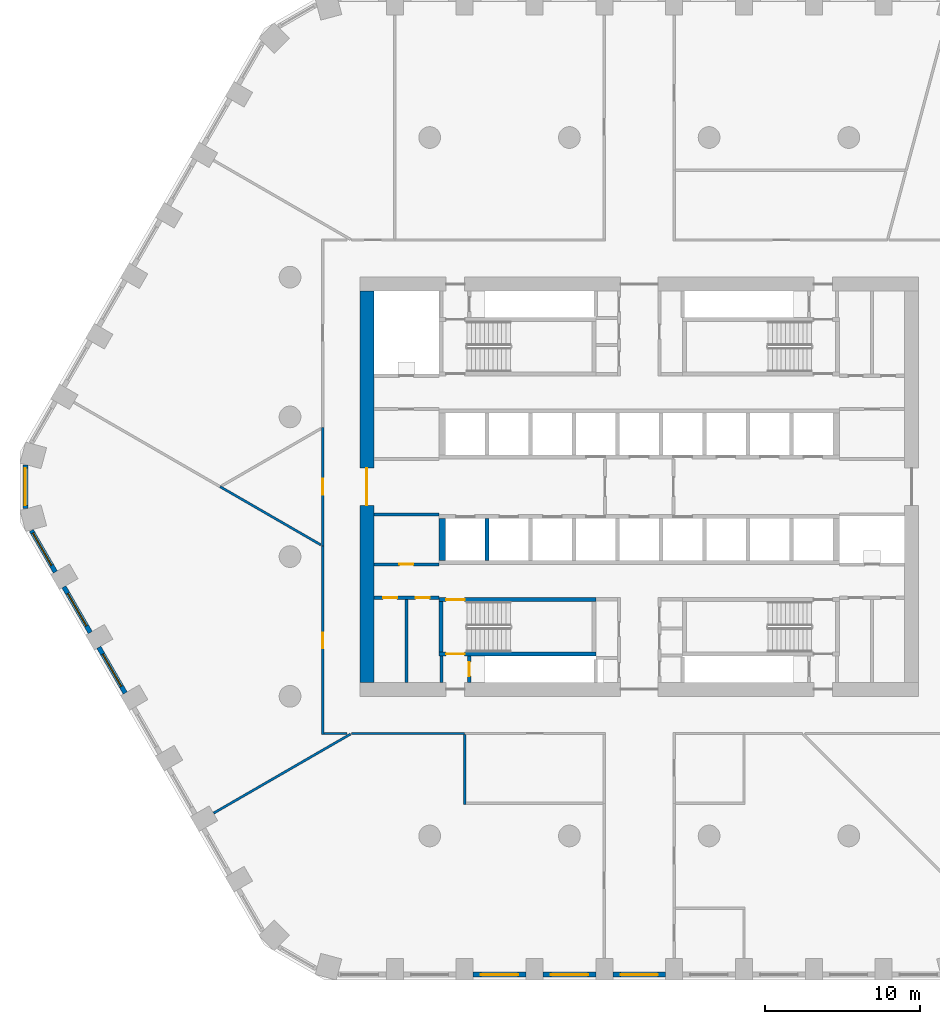
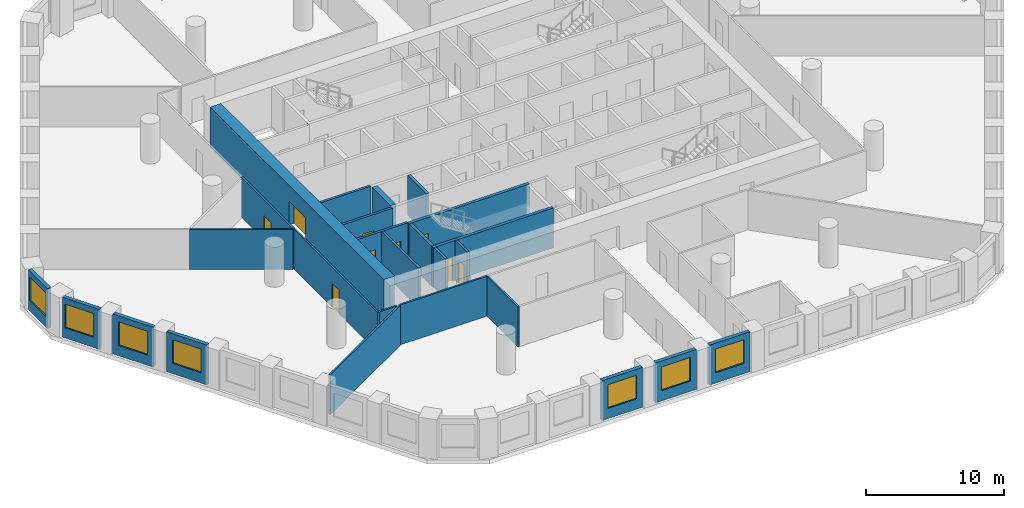
# One storey, part 2 of 10: 26 walls, 9 doors, 7 windows, 16 openings.
"""IFC4 building model written with IfcOpenShell, lengths in metres."""

from ifc_helpers import new_model, si_unit, direction, frame, frame_2d, origin, place, context, subcontext, project, spatial, polyline, rectangle, outline, extrude, material, layer, layer_set, type_object, element, fill, save


model = new_model("IFC4")

# Units and contexts
model_context = context("Model", 3, precision=1e-05, world=origin(), true_north=direction((0.0, 1.0)))
body_context = subcontext(model_context, "Body", "Model", "MODEL_VIEW")
ifc_project = project(units=[si_unit("LENGTHUNIT", "METRE"), si_unit("AREAUNIT", "SQUARE_METRE"), si_unit("VOLUMEUNIT", "CUBIC_METRE"), si_unit("PLANEANGLEUNIT", "RADIAN"), si_unit("MASSUNIT", "GRAM", prefix="KILO")], contexts=[model_context])

# Site, building, storey
site_placement = place(None, origin())
site = spatial("IfcSite", under=ifc_project, at=site_placement, CompositionType="ELEMENT")
building_placement = place(site_placement, origin())
building = spatial("IfcBuilding", under=site, at=building_placement, Name="Dhurran Vertical Campus", CompositionType="ELEMENT")
storey_placement = place(building_placement, frame((0.0, 0.0, 49.5)))
storey = spatial("IfcBuildingStorey", under=building, at=storey_placement, Name="L11", CompositionType="ELEMENT", Elevation=49.5)

# Wall, opening, window
ifc_material_1 = material(Name="Precast concrete C50/60", Category="concrete")
ifc_layer_1 = layer(ifc_material_1, 0.300048828125)
ifc_layer_set_1 = layer_set([ifc_layer_1], Name="Precast concrete C50/60")
wall_type_1 = type_object("IfcWallType", Name="Precast spandrel wall 300", PredefinedType="SOLIDWALL", material=ifc_layer_set_1)
wall_1_placement = place(storey_placement, frame((-10.699462890625, -31.4296875, 0.0), z_axis=(0.0, 0.0, 1.0), x_axis=(1.0, 0.0, 0.0)))
wall_1 = element("IfcWall", 1, at=wall_1_placement, inside=storey, type_object=wall_type_1, Name="EW1 L11.02", PredefinedType="SOLIDWALL", context=body_context, shape_type="SweptSolid", body=[
    extrude(rectangle(XDim=3.39892578125, YDim=0.300048828125, at=frame_2d((1.699462890625, 0.0))), origin(), (0.0, 0.0, 1.0), 3.52490234375),
])
opening_1_placement = place(wall_1_placement, frame((0.49951171875, 0.0, 0.89990234375)))
opening_1 = element("IfcOpeningElement", 2, at=opening_1_placement, cuts=wall_1, Name="Opening WT1", PredefinedType="OPENING", context=body_context, shape_type="SweptSolid", body=[
    extrude(rectangle(XDim=2.39990234375, YDim=2.10009765625, at=frame_2d((1.199951171875, 1.050048828125))), frame((0.0, 0.159912109375, 0.0), z_axis=(0.0, -1.0, 0.0), x_axis=(1.0, 0.0, 0.0)), (0.0, 0.0, 1.0), 0.320068359375),
])
ifc_material_2 = material(Name="Aluminium frame with solar-control glass", Category="aluminium")
window_type = type_object("IfcWindowType", Name="Punched window 2400 x 2100", PartitioningType="SINGLE_PANEL", PredefinedType="WINDOW", material=ifc_material_2)
window_1_placement = place(opening_1_placement, origin())
window_1 = element("IfcWindow", 3, at=window_1_placement, inside=storey, type_object=window_type, Name="WT1 L11.02", OverallHeight=2.10009765625, OverallWidth=2.39990234375, PartitioningType="SINGLE_PANEL", PredefinedType="WINDOW", context=body_context, shape_type="SweptSolid", body=[
    extrude(rectangle(XDim=2.39990234375, YDim=2.10009765625, at=frame_2d((1.199951171875, 1.050048828125))), frame((0.0, 0.030029296875, 0.0), z_axis=(0.0, -1.0, 0.0), x_axis=(1.0, 0.0, 0.0)), (0.0, 0.0, 1.0), 0.06005859375),
])
fill(opening_1, window_1)

wall_2_placement = place(storey_placement, frame((-6.199462890625, -31.4296875, 0.0), z_axis=(0.0, 0.0, 1.0), x_axis=(1.0, 0.0, 0.0)))
wall_2 = element("IfcWall", 4, at=wall_2_placement, inside=storey, type_object=wall_type_1, Name="EW1 L11.03", PredefinedType="SOLIDWALL", context=body_context, shape_type="SweptSolid", body=[
    extrude(rectangle(XDim=3.39892578125, YDim=0.300048828125, at=frame_2d((1.699462890625, 0.0))), origin(), (0.0, 0.0, 1.0), 3.52490234375),
])
opening_2_placement = place(wall_2_placement, frame((0.49951171875, 0.0, 0.89990234375)))
opening_2 = element("IfcOpeningElement", 5, at=opening_2_placement, cuts=wall_2, Name="Opening WT1", PredefinedType="OPENING", context=body_context, shape_type="SweptSolid", body=[
    extrude(rectangle(XDim=2.39990234375, YDim=2.10009765625, at=frame_2d((1.199951171875, 1.050048828125))), frame((0.0, 0.159912109375, 0.0), z_axis=(0.0, -1.0, 0.0), x_axis=(1.0, 0.0, 0.0)), (0.0, 0.0, 1.0), 0.320068359375),
])
window_2_placement = place(opening_2_placement, origin())
window_2 = element("IfcWindow", 6, at=window_2_placement, inside=storey, type_object=window_type, Name="WT1 L11.03", OverallHeight=2.10009765625, OverallWidth=2.39990234375, PartitioningType="SINGLE_PANEL", PredefinedType="WINDOW", context=body_context, shape_type="SweptSolid", body=[
    extrude(rectangle(XDim=2.39990234375, YDim=2.10009765625, at=frame_2d((1.199951171875, 1.050048828125))), frame((0.0, 0.030029296875, 0.0), z_axis=(0.0, -1.0, 0.0), x_axis=(1.0, 0.0, 0.0)), (0.0, 0.0, 1.0), 0.06005859375),
])
fill(opening_2, window_2)

wall_3_placement = place(storey_placement, frame((-1.699462890625, -31.4296875, 0.0), z_axis=(0.0, 0.0, 1.0), x_axis=(1.0, 0.0, 0.0)))
wall_3 = element("IfcWall", 7, at=wall_3_placement, inside=storey, type_object=wall_type_1, Name="EW1 L11.04", PredefinedType="SOLIDWALL", context=body_context, shape_type="SweptSolid", body=[
    extrude(rectangle(XDim=3.39892578125, YDim=0.300048828125, at=frame_2d((1.699462890625, 0.0))), origin(), (0.0, 0.0, 1.0), 3.52490234375),
])
opening_3_placement = place(wall_3_placement, frame((0.49951171875, 0.0, 0.89990234375)))
opening_3 = element("IfcOpeningElement", 8, at=opening_3_placement, cuts=wall_3, Name="Opening WT1", PredefinedType="OPENING", context=body_context, shape_type="SweptSolid", body=[
    extrude(rectangle(XDim=2.39990234375, YDim=2.10009765625, at=frame_2d((1.199951171875, 1.050048828125))), frame((0.0, 0.159912109375, 0.0), z_axis=(0.0, -1.0, 0.0), x_axis=(1.0, 0.0, 0.0)), (0.0, 0.0, 1.0), 0.320068359375),
])
window_3_placement = place(opening_3_placement, origin())
window_3 = element("IfcWindow", 9, at=window_3_placement, inside=storey, type_object=window_type, Name="WT1 L11.04", OverallHeight=2.10009765625, OverallWidth=2.39990234375, PartitioningType="SINGLE_PANEL", PredefinedType="WINDOW", context=body_context, shape_type="SweptSolid", body=[
    extrude(rectangle(XDim=2.39990234375, YDim=2.10009765625, at=frame_2d((1.199951171875, 1.050048828125))), frame((0.0, 0.030029296875, 0.0), z_axis=(0.0, -1.0, 0.0), x_axis=(1.0, 0.0, 0.0)), (0.0, 0.0, 1.0), 0.06005859375),
])
fill(opening_3, window_3)

wall_4_placement = place(storey_placement, frame((-39.547119140625, 1.39111328125, 0.0), z_axis=(0.0, 0.0, 1.0), x_axis=(0.0, -1.0, 0.0)))
wall_4 = element("IfcWall", 10, at=wall_4_placement, inside=storey, type_object=wall_type_1, Name="EW1 L11.43", PredefinedType="SOLIDWALL", context=body_context, shape_type="SweptSolid", body=[
    extrude(rectangle(XDim=2.7822265625, YDim=0.300048828125, at=frame_2d((1.39111328125, 0.0))), origin(), (0.0, 0.0, 1.0), 3.52490234375),
])
opening_4_placement = place(wall_4_placement, frame((0.191162109375, 0.0, 0.89990234375)))
opening_4 = element("IfcOpeningElement", 11, at=opening_4_placement, cuts=wall_4, Name="Opening WT1", PredefinedType="OPENING", context=body_context, shape_type="SweptSolid", body=[
    extrude(rectangle(XDim=2.39990234375, YDim=2.10009765625, at=frame_2d((1.199951171875, 1.050048828125))), frame((0.0, 0.159912109375, 0.0), z_axis=(0.0, -1.0, 0.0), x_axis=(1.0, 0.0, 0.0)), (0.0, 0.0, 1.0), 0.320068359375),
])
window_4_placement = place(opening_4_placement, origin())
window_4 = element("IfcWindow", 12, at=window_4_placement, inside=storey, type_object=window_type, Name="WT1 L11.43", OverallHeight=2.10009765625, OverallWidth=2.39990234375, PartitioningType="SINGLE_PANEL", PredefinedType="WINDOW", context=body_context, shape_type="SweptSolid", body=[
    extrude(rectangle(XDim=2.39990234375, YDim=2.10009765625, at=frame_2d((1.199951171875, 1.050048828125))), frame((0.0, 0.030029296875, 0.0), z_axis=(0.0, -1.0, 0.0), x_axis=(1.0, 0.0, 0.0)), (0.0, 0.0, 1.0), 0.06005859375),
])
fill(opening_4, window_4)

wall_5_placement = place(storey_placement, frame((-39.16455078125, -2.81884765625, 0.0), z_axis=(0.0, 0.0, 1.0), x_axis=(0.49997090907, -0.866042198789, 0.0)))
wall_5 = element("IfcWall", 13, at=wall_5_placement, inside=storey, type_object=wall_type_1, Name="EW1 L11.44", PredefinedType="SOLIDWALL", context=body_context, shape_type="SweptSolid", body=[
    extrude(rectangle(XDim=3.090576171875, YDim=0.300048828125, at=frame_2d((1.54541015625, 0.0))), origin(), (0.0, 0.0, 1.0), 3.52490234375),
])
opening_5_placement = place(wall_5_placement, frame((0.19091796875, 0.0, 0.89990234375)))
opening_5 = element("IfcOpeningElement", 14, at=opening_5_placement, cuts=wall_5, Name="Opening WT1", PredefinedType="OPENING", context=body_context, shape_type="SweptSolid", body=[
    extrude(rectangle(XDim=2.39990234375, YDim=2.10009765625, at=frame_2d((1.199951171875, 1.050048828125))), frame((0.0, 0.159912109375, 0.0), z_axis=(0.0, -1.0, 0.0), x_axis=(1.0, 0.0, 0.0)), (0.0, 0.0, 1.0), 0.320068359375),
])
window_5_placement = place(opening_5_placement, origin())
window_5 = element("IfcWindow", 15, at=window_5_placement, inside=storey, type_object=window_type, Name="WT1 L11.44", OverallHeight=2.10009765625, OverallWidth=2.39990234375, PartitioningType="SINGLE_PANEL", PredefinedType="WINDOW", context=body_context, shape_type="SweptSolid", body=[
    extrude(rectangle(XDim=2.39990234375, YDim=2.10009765625, at=frame_2d((1.199951171875, 1.050048828125))), frame((0.0, 0.030029296875, 0.0), z_axis=(0.0, -1.0, 0.0), x_axis=(1.0, 0.0, 0.0)), (0.0, 0.0, 1.0), 0.06005859375),
])
fill(opening_5, window_5)

wall_6_placement = place(storey_placement, frame((-37.06884765625, -6.448974609375, 0.0), z_axis=(0.0, 0.0, 1.0), x_axis=(0.499993955907, -0.866028893315, 0.0)))
wall_6 = element("IfcWall", 16, at=wall_6_placement, inside=storey, type_object=wall_type_1, Name="EW1 L11.45", PredefinedType="SOLIDWALL", context=body_context, shape_type="SweptSolid", body=[
    extrude(rectangle(XDim=3.39892578125, YDim=0.300048828125, at=frame_2d((1.699462890625, 0.0))), origin(), (0.0, 0.0, 1.0), 3.52490234375),
])
opening_6_placement = place(wall_6_placement, frame((0.49951171875, 0.0, 0.89990234375)))
opening_6 = element("IfcOpeningElement", 17, at=opening_6_placement, cuts=wall_6, Name="Opening WT1", PredefinedType="OPENING", context=body_context, shape_type="SweptSolid", body=[
    extrude(rectangle(XDim=2.39990234375, YDim=2.10009765625, at=frame_2d((1.199951171875, 1.050048828125))), frame((0.0, 0.159912109375, 0.0), z_axis=(0.0, -1.0, 0.0), x_axis=(1.0, 0.0, 0.0)), (0.0, 0.0, 1.0), 0.320068359375),
])
window_6_placement = place(opening_6_placement, origin())
window_6 = element("IfcWindow", 18, at=window_6_placement, inside=storey, type_object=window_type, Name="WT1 L11.45", OverallHeight=2.10009765625, OverallWidth=2.39990234375, PartitioningType="SINGLE_PANEL", PredefinedType="WINDOW", context=body_context, shape_type="SweptSolid", body=[
    extrude(rectangle(XDim=2.39990234375, YDim=2.10009765625, at=frame_2d((1.199951171875, 1.050048828125))), frame((0.0, 0.030029296875, 0.0), z_axis=(0.0, -1.0, 0.0), x_axis=(1.0, 0.0, 0.0)), (0.0, 0.0, 1.0), 0.06005859375),
])
fill(opening_6, window_6)

wall_7_placement = place(storey_placement, frame((-34.81884765625, -10.345947265625, 0.0), z_axis=(0.0, 0.0, 1.0), x_axis=(0.499993955907, -0.866028893315, 0.0)))
wall_7 = element("IfcWall", 19, at=wall_7_placement, inside=storey, type_object=wall_type_1, Name="EW1 L11.46", PredefinedType="SOLIDWALL", context=body_context, shape_type="SweptSolid", body=[
    extrude(rectangle(XDim=3.39892578125, YDim=0.300048828125, at=frame_2d((1.699462890625, 0.0))), origin(), (0.0, 0.0, 1.0), 3.52490234375),
])
opening_7_placement = place(wall_7_placement, frame((0.49951171875, 0.0, 0.89990234375)))
opening_7 = element("IfcOpeningElement", 20, at=opening_7_placement, cuts=wall_7, Name="Opening WT1", PredefinedType="OPENING", context=body_context, shape_type="SweptSolid", body=[
    extrude(rectangle(XDim=2.39990234375, YDim=2.10009765625, at=frame_2d((1.199951171875, 1.050048828125))), frame((0.0, 0.159912109375, 0.0), z_axis=(0.0, -1.0, 0.0), x_axis=(1.0, 0.0, 0.0)), (0.0, 0.0, 1.0), 0.320068359375),
])
window_7_placement = place(opening_7_placement, origin())
window_7 = element("IfcWindow", 21, at=window_7_placement, inside=storey, type_object=window_type, Name="WT1 L11.46", OverallHeight=2.10009765625, OverallWidth=2.39990234375, PartitioningType="SINGLE_PANEL", PredefinedType="WINDOW", context=body_context, shape_type="SweptSolid", body=[
    extrude(rectangle(XDim=2.39990234375, YDim=2.10009765625, at=frame_2d((1.199951171875, 1.050048828125))), frame((0.0, 0.030029296875, 0.0), z_axis=(0.0, -1.0, 0.0), x_axis=(1.0, 0.0, 0.0)), (0.0, 0.0, 1.0), 0.06005859375),
])
fill(opening_7, window_7)

# Wall, opening, door
ifc_material_3 = material(Name="Concrete C60/75", Category="concrete")
ifc_layer_2 = layer(ifc_material_3, 0.89990234375)
ifc_layer_set_2 = layer_set([ifc_layer_2], Name="Concrete C60/75")
wall_type_2 = type_object("IfcWallType", Name="co-CORE-WALL-C0-900", PredefinedType="SHEAR", material=ifc_layer_set_2)
wall_8_placement = place(storey_placement, frame((-17.550048828125, -12.60009765625, 0.0), z_axis=(0.0, 0.0, 1.0), x_axis=(0.0, 1.0, 0.0)))
wall_8 = element("IfcWall", 22, at=wall_8_placement, inside=storey, type_object=wall_type_2, Name="Core wall W L11", PredefinedType="SHEAR", context=body_context, shape_type="SweptSolid", body=[
    extrude(rectangle(XDim=25.2001953125, YDim=0.89990234375, at=frame_2d((12.60009765625, 0.0))), origin(), (0.0, 0.0, 1.0), 3.52490234375),
])
opening_8_placement = place(wall_8_placement, frame((11.39990234375, 0.0, 0.0)))
opening_8 = element("IfcOpeningElement", 23, at=opening_8_placement, cuts=wall_8, Name="Opening CL1", PredefinedType="OPENING", context=body_context, shape_type="SweptSolid", body=[
    extrude(rectangle(XDim=2.39990234375, YDim=2.10009765625, at=frame_2d((1.199951171875, 1.050048828125))), frame((0.0, 0.4599609375, 0.0), z_axis=(0.0, -1.0, 0.0), x_axis=(1.0, 0.0, 0.0)), (0.0, 0.0, 1.0), 0.919921875),
])
ifc_material_4 = material(Name="Fire-rated glazed door set")
door_type_1 = type_object("IfcDoorType", Name="co-D-LOBBY 2400x2100", OperationType="DOUBLE_DOOR_DOUBLE_SWING", PredefinedType="DOOR", material=ifc_material_4)
door_1_placement = place(opening_8_placement, origin())
door_1 = element("IfcDoor", 24, at=door_1_placement, inside=storey, type_object=door_type_1, Name="Lift lobby door W L11", OperationType="DOUBLE_DOOR_DOUBLE_SWING", OverallHeight=2.10009765625, OverallWidth=2.39990234375, PredefinedType="DOOR", context=body_context, shape_type="SweptSolid", body=[
    extrude(rectangle(XDim=2.39990234375, YDim=2.10009765625, at=frame_2d((1.199951171875, 1.050048828125))), frame((0.0, 0.02490234375, 0.0), z_axis=(0.0, -1.0, 0.0), x_axis=(1.0, 0.0, 0.0)), (0.0, 0.0, 1.0), 0.050048828125),
])
fill(opening_8, door_1)

# Wall
ifc_material_5 = material(Name="Fire-rated masonry blockwork", Category="masonry")
ifc_layer_3 = layer(ifc_material_5, 0.199951171875)
ifc_layer_set_3 = layer_set([ifc_layer_3], Name="Fire-rated masonry blockwork")
wall_type_3 = type_object("IfcWallType", Name="co-FIRE-PARTITION-200", PredefinedType="PARTITIONING", material=ifc_layer_set_3)
wall_9_placement = place(storey_placement, frame((-12.75, -12.60009765625, 0.0), z_axis=(0.0, 0.0, 1.0), x_axis=(0.0, 1.0, 0.0)))
element("IfcWall", 25, at=wall_9_placement, inside=storey, type_object=wall_type_3, Name="Core partition pass-ST3-o L11", PredefinedType="PARTITIONING", context=body_context, shape_type="SweptSolid", body=[
    extrude(rectangle(XDim=1.7001953125, YDim=0.199951171875, at=frame_2d((0.85009765625, 0.0))), origin(), (0.0, 0.0, 1.0), 3.52490234375),
])

# Wall, opening, door
wall_10_placement = place(storey_placement, frame((-10.949951171875, -12.60009765625, 0.0), z_axis=(0.0, 0.0, 1.0), x_axis=(0.0, 1.0, 0.0)))
wall_10 = element("IfcWall", 26, at=wall_10_placement, inside=storey, type_object=wall_type_3, Name="Core partition pass-ST3-i L11", PredefinedType="PARTITIONING", context=body_context, shape_type="SweptSolid", body=[
    extrude(rectangle(XDim=1.7001953125, YDim=0.199951171875, at=frame_2d((0.85009765625, 0.0))), origin(), (0.0, 0.0, 1.0), 3.52490234375),
])
opening_9_placement = place(wall_10_placement, frame((0.39990234375, 0.0, 0.0)))
opening_9 = element("IfcOpeningElement", 27, at=opening_9_placement, cuts=wall_10, Name="Opening T02-C12", PredefinedType="OPENING", context=body_context, shape_type="SweptSolid", body=[
    extrude(rectangle(XDim=0.89990234375, YDim=2.10009765625, at=frame_2d((0.449951171875, 1.050048828125))), frame((0.0, 0.10986328125, 0.0), z_axis=(0.0, -1.0, 0.0), x_axis=(1.0, 0.0, 0.0)), (0.0, 0.0, 1.0), 0.219970703125),
])
ifc_material_6 = material(Name="Fire-rated timber door set", Category="wood")
door_type_2 = type_object("IfcDoorType", Name="co-D-ROOM 900x2100", OperationType="SINGLE_SWING_LEFT", PredefinedType="DOOR", material=ifc_material_6)
door_2_placement = place(opening_9_placement, origin())
door_2 = element("IfcDoor", 28, at=door_2_placement, inside=storey, type_object=door_type_2, Name="Riser room door L11", OperationType="SINGLE_SWING_LEFT", OverallHeight=2.10009765625, OverallWidth=0.89990234375, PredefinedType="DOOR", context=body_context, shape_type="SweptSolid", body=[
    extrude(rectangle(XDim=0.89990234375, YDim=2.10009765625, at=frame_2d((0.449951171875, 1.050048828125))), frame((0.0, 0.02490234375, 0.0), z_axis=(0.0, -1.0, 0.0), x_axis=(1.0, 0.0, 0.0)), (0.0, 0.0, 1.0), 0.050048828125),
])
fill(opening_9, door_2)

# Wall
wall_11_placement = place(storey_placement, frame((-15.0, -12.60009765625, 0.0), z_axis=(0.0, 0.0, 1.0), x_axis=(0.0, 1.0, 0.0)))
element("IfcWall", 29, at=wall_11_placement, inside=storey, type_object=wall_type_3, Name="Core partition en-SW-cut0 L11", PredefinedType="PARTITIONING", context=body_context, shape_type="SweptSolid", body=[
    extrude(rectangle(XDim=5.4501953125, YDim=0.199951171875, at=frame_2d((2.72509765625, 0.0))), origin(), (0.0, 0.0, 1.0), 3.52490234375),
])

# Wall, openings, doors
wall_12_placement = place(storey_placement, frame((-17.10009765625, -7.14990234375, 0.0), z_axis=(0.0, 0.0, 1.0), x_axis=(1.0, 0.0, 0.0)))
wall_12 = element("IfcWall", 30, at=wall_12_placement, inside=storey, type_object=wall_type_3, Name="Core partition en-SW-w L11", PredefinedType="PARTITIONING", context=body_context, shape_type="SweptSolid", body=[
    extrude(rectangle(XDim=4.2001953125, YDim=0.199951171875, at=frame_2d((2.10009765625, 0.0))), origin(), (0.0, 0.0, 1.0), 3.52490234375),
])
opening_10_placement = place(wall_12_placement, frame((0.60009765625, 0.0, 0.0)))
opening_10 = element("IfcOpeningElement", 31, at=opening_10_placement, cuts=wall_12, Name="Opening T02-C19", PredefinedType="OPENING", context=body_context, shape_type="SweptSolid", body=[
    extrude(rectangle(XDim=0.89990234375, YDim=2.10009765625, at=frame_2d((0.449951171875, 1.050048828125))), frame((0.0, 0.10986328125, 0.0), z_axis=(0.0, -1.0, 0.0), x_axis=(1.0, 0.0, 0.0)), (0.0, 0.0, 1.0), 0.219970703125),
])
opening_11_placement = place(wall_12_placement, frame((2.699951171875, 0.0, 0.0)))
opening_11 = element("IfcOpeningElement", 32, at=opening_11_placement, cuts=wall_12, Name="Opening T02-C20", PredefinedType="OPENING", context=body_context, shape_type="SweptSolid", body=[
    extrude(rectangle(XDim=0.89990234375, YDim=2.10009765625, at=frame_2d((0.449951171875, 1.050048828125))), frame((0.0, 0.10986328125, 0.0), z_axis=(0.0, -1.0, 0.0), x_axis=(1.0, 0.0, 0.0)), (0.0, 0.0, 1.0), 0.219970703125),
])
door_3_placement = place(opening_10_placement, origin())
door_3 = element("IfcDoor", 33, at=door_3_placement, inside=storey, type_object=door_type_2, Name="Plant room door L11", OperationType="SINGLE_SWING_LEFT", OverallHeight=2.10009765625, OverallWidth=0.89990234375, PredefinedType="DOOR", context=body_context, shape_type="SweptSolid", body=[
    extrude(rectangle(XDim=0.89990234375, YDim=2.10009765625, at=frame_2d((0.449951171875, 1.050048828125))), frame((0.0, 0.02490234375, 0.0), z_axis=(0.0, -1.0, 0.0), x_axis=(1.0, 0.0, 0.0)), (0.0, 0.0, 1.0), 0.050048828125),
])
fill(opening_10, door_3)
door_4_placement = place(opening_11_placement, origin())
door_4 = element("IfcDoor", 34, at=door_4_placement, inside=storey, type_object=door_type_2, Name="Plant room door L11", OperationType="SINGLE_SWING_LEFT", OverallHeight=2.10009765625, OverallWidth=0.89990234375, PredefinedType="DOOR", context=body_context, shape_type="SweptSolid", body=[
    extrude(rectangle(XDim=0.89990234375, YDim=2.10009765625, at=frame_2d((0.449951171875, 1.050048828125))), frame((0.0, 0.02490234375, 0.0), z_axis=(0.0, -1.0, 0.0), x_axis=(1.0, 0.0, 0.0)), (0.0, 0.0, 1.0), 0.050048828125),
])
fill(opening_11, door_4)

# Wall, opening, door
wall_13_placement = place(storey_placement, frame((-17.10009765625, -5.0, 0.0), z_axis=(0.0, 0.0, 1.0), x_axis=(1.0, 0.0, 0.0)))
wall_13 = element("IfcWall", 35, at=wall_13_placement, inside=storey, type_object=wall_type_3, Name="Core partition es-SW-w L11", PredefinedType="PARTITIONING", context=body_context, shape_type="SweptSolid", body=[
    extrude(rectangle(XDim=4.2001953125, YDim=0.199951171875, at=frame_2d((2.10009765625, 0.0))), origin(), (0.0, 0.0, 1.0), 3.52490234375),
])
opening_12_placement = place(wall_13_placement, frame((1.64990234375, 0.0, 0.0)))
opening_12 = element("IfcOpeningElement", 36, at=opening_12_placement, cuts=wall_13, Name="Opening T02-C21", PredefinedType="OPENING", context=body_context, shape_type="SweptSolid", body=[
    extrude(rectangle(XDim=0.89990234375, YDim=2.10009765625, at=frame_2d((0.449951171875, 1.050048828125))), frame((0.0, 0.10986328125, 0.0), z_axis=(0.0, -1.0, 0.0), x_axis=(1.0, 0.0, 0.0)), (0.0, 0.0, 1.0), 0.219970703125),
])
door_5_placement = place(opening_12_placement, origin())
door_5 = element("IfcDoor", 37, at=door_5_placement, inside=storey, type_object=door_type_2, Name="Store door L11", OperationType="SINGLE_SWING_LEFT", OverallHeight=2.10009765625, OverallWidth=0.89990234375, PredefinedType="DOOR", context=body_context, shape_type="SweptSolid", body=[
    extrude(rectangle(XDim=0.89990234375, YDim=2.10009765625, at=frame_2d((0.449951171875, 1.050048828125))), frame((0.0, 0.02490234375, 0.0), z_axis=(0.0, -1.0, 0.0), x_axis=(1.0, 0.0, 0.0)), (0.0, 0.0, 1.0), 0.050048828125),
])
fill(opening_12, door_5)

# Walls
wall_14_placement = place(storey_placement, frame((-17.10009765625, -1.800048828125, 0.0), z_axis=(0.0, 0.0, 1.0), x_axis=(1.0, 0.0, 0.0)))
element("IfcWall", 38, at=wall_14_placement, inside=storey, type_object=wall_type_3, Name="Core partition es-SW-l L11", PredefinedType="PARTITIONING", context=body_context, shape_type="SweptSolid", body=[
    extrude(rectangle(XDim=4.2001953125, YDim=0.199951171875, at=frame_2d((2.10009765625, 0.0))), origin(), (0.0, 0.0, 1.0), 3.52490234375),
])
ifc_material_7 = material(Name="Concrete C50/60", Category="concrete")
ifc_layer_4 = layer(ifc_material_7, 0.25)
ifc_layer_set_4 = layer_set([ifc_layer_4], Name="Concrete C50/60")
wall_type_4 = type_object("IfcWallType", Name="co-SHAFT-MASS-250", PredefinedType="SHEAR", material=ifc_layer_set_4)
wall_15_placement = place(storey_placement, origin())
element("IfcWall", 39, at=wall_15_placement, inside=storey, type_object=wall_type_4, Name="Lift shaft wall S L11 2", PredefinedType="SHEAR", context=body_context, shape_type="SweptSolid", body=[
    extrude(outline(polyline([(-12.89990234375, -4.75), (-12.47509765625, -4.75), (-12.47509765625, -2.050048828125), (-12.89990234375, -2.050048828125), (-12.89990234375, -4.75)])), origin(), (0.0, 0.0, 1.0), 3.52490234375),
])
wall_16_placement = place(storey_placement, origin())
element("IfcWall", 40, at=wall_16_placement, inside=storey, type_object=wall_type_4, Name="Lift shaft wall S L11 3", PredefinedType="SHEAR", context=body_context, shape_type="SweptSolid", body=[
    extrude(outline(polyline([(-9.925048828125, -4.75), (-9.675048828125, -4.75), (-9.675048828125, -2.050048828125), (-9.925048828125, -2.050048828125), (-9.925048828125, -4.75)])), origin(), (0.0, 0.0, 1.0), 3.52490234375),
])

# Wall, opening, door
ifc_material_8 = material(Name="Concrete C40/50", Category="concrete")
ifc_layer_5 = layer(ifc_material_8, 0.25)
ifc_layer_set_5 = layer_set([ifc_layer_5], Name="Concrete C40/50")
wall_type_5 = type_object("IfcWallType", Name="co-STAIR-WALL-250", PredefinedType="SHEAR", material=ifc_layer_set_5)
wall_17_placement = place(storey_placement, frame((-12.89990234375, -10.77490234375, 0.0), z_axis=(0.0, 0.0, 1.0), x_axis=(1.0, 0.0, 0.0)))
wall_17 = element("IfcWall", 41, at=wall_17_placement, inside=storey, type_object=wall_type_5, Name="Stair ST3 enclosure wall L11", PredefinedType="SHEAR", context=body_context, shape_type="SweptSolid", body=[
    extrude(rectangle(XDim=10.099853515625, YDim=0.25, at=frame_2d((5.0498046875, 0.0))), origin(), (0.0, 0.0, 1.0), 3.52490234375),
])
opening_13_placement = place(wall_17_placement, frame((0.449951171875, 0.0, 0.0)))
opening_13 = element("IfcOpeningElement", 42, at=opening_13_placement, cuts=wall_17, Name="Opening XS3", PredefinedType="OPENING", context=body_context, shape_type="SweptSolid", body=[
    extrude(rectangle(XDim=1.199951171875, YDim=2.10009765625, at=frame_2d((0.60009765625, 1.050048828125))), frame((0.0, 0.135009765625, 0.0), z_axis=(0.0, -1.0, 0.0), x_axis=(1.0, 0.0, 0.0)), (0.0, 0.0, 1.0), 0.27001953125),
])
ifc_material_9 = material(Name="Fire-rated steel door set", Category="steel")
door_type_3 = type_object("IfcDoorType", Name="co-D-STAIR-EXIT 1200x2100", OperationType="SINGLE_SWING_RIGHT", PredefinedType="DOOR", material=ifc_material_9)
door_6_placement = place(opening_13_placement, origin())
door_6 = element("IfcDoor", 43, at=door_6_placement, inside=storey, type_object=door_type_3, Name="Stair ST3 discharge door L11", OperationType="SINGLE_SWING_RIGHT", OverallHeight=2.10009765625, OverallWidth=1.199951171875, PredefinedType="DOOR", context=body_context, shape_type="SweptSolid", body=[
    extrude(rectangle(XDim=1.199951171875, YDim=2.10009765625, at=frame_2d((0.60009765625, 1.050048828125))), frame((0.0, 0.02490234375, 0.0), z_axis=(0.0, -1.0, 0.0), x_axis=(1.0, 0.0, 0.0)), (0.0, 0.0, 1.0), 0.050048828125),
])
fill(opening_13, door_6)

wall_18_placement = place(storey_placement, frame((-12.89990234375, -7.27490234375, 0.0), z_axis=(0.0, 0.0, 1.0), x_axis=(1.0, 0.0, 0.0)))
wall_18 = element("IfcWall", 44, at=wall_18_placement, inside=storey, type_object=wall_type_5, Name="Stair ST3 enclosure wall L11", PredefinedType="SHEAR", context=body_context, shape_type="SweptSolid", body=[
    extrude(rectangle(XDim=10.099853515625, YDim=0.25, at=frame_2d((5.0498046875, 0.0))), origin(), (0.0, 0.0, 1.0), 3.52490234375),
])
opening_14_placement = place(wall_18_placement, frame((0.449951171875, 0.0, 0.0)))
opening_14 = element("IfcOpeningElement", 45, at=opening_14_placement, cuts=wall_18, Name="Opening SD3", PredefinedType="OPENING", context=body_context, shape_type="SweptSolid", body=[
    extrude(rectangle(XDim=1.199951171875, YDim=2.10009765625, at=frame_2d((0.60009765625, 1.050048828125))), frame((0.0, 0.135009765625, 0.0), z_axis=(0.0, -1.0, 0.0), x_axis=(1.0, 0.0, 0.0)), (0.0, 0.0, 1.0), 0.27001953125),
])
ifc_material_10 = material(Name="Fire-rated steel door set", Category="steel")
door_type_4 = type_object("IfcDoorType", Name="co-D-STAIR 1200x2100", OperationType="SINGLE_SWING_LEFT", PredefinedType="DOOR", material=ifc_material_10)
door_7_placement = place(opening_14_placement, origin())
door_7 = element("IfcDoor", 46, at=door_7_placement, inside=storey, type_object=door_type_4, Name="Stair ST3 door L11", OperationType="SINGLE_SWING_LEFT", OverallHeight=2.10009765625, OverallWidth=1.199951171875, PredefinedType="DOOR", context=body_context, shape_type="SweptSolid", body=[
    extrude(rectangle(XDim=1.199951171875, YDim=2.10009765625, at=frame_2d((0.60009765625, 1.050048828125))), frame((0.0, 0.02490234375, 0.0), z_axis=(0.0, -1.0, 0.0), x_axis=(1.0, 0.0, 0.0)), (0.0, 0.0, 1.0), 0.050048828125),
])
fill(opening_14, door_7)

# Wall
wall_19_placement = place(storey_placement, frame((-12.77490234375, -10.64990234375, 0.0), z_axis=(0.0, 0.0, 1.0), x_axis=(0.0, 1.0, 0.0)))
element("IfcWall", 47, at=wall_19_placement, inside=storey, type_object=wall_type_5, Name="Stair ST3 enclosure wall L11", PredefinedType="SHEAR", context=body_context, shape_type="SweptSolid", body=[
    extrude(rectangle(XDim=3.25, YDim=0.25, at=frame_2d((1.625, 0.0))), origin(), (0.0, 0.0, 1.0), 3.52490234375),
])

# Wall, opening, door
ifc_material_11 = material(Name="Gypsum board corridor wall on steel studs", Category="steel")
ifc_layer_6 = layer(ifc_material_11, 0.14990234375)
ifc_layer_set_6 = layer_set([ifc_layer_6], Name="Gypsum board corridor wall on steel studs")
wall_type_6 = type_object("IfcWallType", Name="fl-CW-150 corridor wall", PredefinedType="PARTITIONING", material=ifc_layer_set_6)
wall_20_placement = place(storey_placement, frame((-20.39990234375, -3.81103515625, 0.0), z_axis=(0.0, 0.0, 1.0), x_axis=(0.0, -1.0, 0.0)))
wall_20 = element("IfcWall", 48, at=wall_20_placement, inside=storey, type_object=wall_type_6, Name="Partition 11-06", PredefinedType="PARTITIONING", context=body_context, shape_type="SweptSolid", body=[
    extrude(rectangle(XDim=12.1640625, YDim=0.14990234375, at=frame_2d((6.08203125, 0.0))), origin(), (0.0, 0.0, 1.0), 3.52490234375),
])
opening_15_placement = place(wall_20_placement, frame((5.58203125, 0.0, 0.0)))
opening_15 = element("IfcOpeningElement", 49, at=opening_15_placement, cuts=wall_20, Name="Opening T02.01", PredefinedType="OPENING", context=body_context, shape_type="SweptSolid", body=[
    extrude(rectangle(XDim=1.0, YDim=2.10009765625, at=frame_2d((0.5, 1.050048828125))), frame((0.0, 0.0849609375, 0.0), z_axis=(0.0, -1.0, 0.0), x_axis=(1.0, 0.0, 0.0)), (0.0, 0.0, 1.0), 0.169921875),
])
ifc_material_12 = material(Name="Solid-core timber door set, fire-rated", Category="wood")
door_type_5 = type_object("IfcDoorType", Name="fl-D-1000x2100", OperationType="SINGLE_SWING_LEFT", PredefinedType="DOOR", material=ifc_material_12)
door_8_placement = place(opening_15_placement, origin())
door_8 = element("IfcDoor", 50, at=door_8_placement, inside=storey, type_object=door_type_5, Name="Door 11.01", OperationType="SINGLE_SWING_RIGHT", OverallHeight=2.10009765625, OverallWidth=1.0, PredefinedType="DOOR", context=body_context, shape_type="SweptSolid", body=[
    extrude(rectangle(XDim=1.0, YDim=2.10009765625, at=frame_2d((0.5, 1.050048828125))), frame((0.0, 0.02490234375, 0.0), z_axis=(0.0, -1.0, 0.0), x_axis=(1.0, 0.0, 0.0)), (0.0, 0.0, 1.0), 0.050048828125),
])
fill(opening_15, door_8)

# Wall
wall_21_placement = place(storey_placement, frame((-20.324951171875, -15.89990234375, 0.0), z_axis=(0.0, 0.0, 1.0), x_axis=(1.0, 0.0, 0.0)))
element("IfcWall", 51, at=wall_21_placement, inside=storey, type_object=wall_type_6, Name="Partition 11-07", PredefinedType="PARTITIONING", context=body_context, shape_type="SweptSolid", body=[
    extrude(rectangle(XDim=1.510009765625, YDim=0.14990234375, at=frame_2d((0.7548828125, 0.0))), origin(), (0.0, 0.0, 1.0), 3.52490234375),
])

# Wall, opening, door
wall_22_placement = place(storey_placement, frame((-20.39990234375, 3.81103515625, 0.0), z_axis=(0.0, 0.0, 1.0), x_axis=(0.0, -1.0, 0.0)))
wall_22 = element("IfcWall", 52, at=wall_22_placement, inside=storey, type_object=wall_type_6, Name="Partition 11-08", PredefinedType="PARTITIONING", context=body_context, shape_type="SweptSolid", body=[
    extrude(rectangle(XDim=7.6220703125, YDim=0.14990234375, at=frame_2d((3.81103515625, 0.0))), origin(), (0.0, 0.0, 1.0), 3.52490234375),
])
opening_16_placement = place(wall_22_placement, frame((3.31103515625, 0.0, 0.0)))
opening_16 = element("IfcOpeningElement", 53, at=opening_16_placement, cuts=wall_22, Name="Opening T02.03", PredefinedType="OPENING", context=body_context, shape_type="SweptSolid", body=[
    extrude(rectangle(XDim=1.0, YDim=2.10009765625, at=frame_2d((0.5, 1.050048828125))), frame((0.0, 0.0849609375, 0.0), z_axis=(0.0, -1.0, 0.0), x_axis=(1.0, 0.0, 0.0)), (0.0, 0.0, 1.0), 0.169921875),
])
door_9_placement = place(opening_16_placement, origin())
door_9 = element("IfcDoor", 54, at=door_9_placement, inside=storey, type_object=door_type_5, Name="Door 11.03", OperationType="SINGLE_SWING_RIGHT", OverallHeight=2.10009765625, OverallWidth=1.0, PredefinedType="DOOR", context=body_context, shape_type="SweptSolid", body=[
    extrude(rectangle(XDim=1.0, YDim=2.10009765625, at=frame_2d((0.5, 1.050048828125))), frame((0.0, 0.02490234375, 0.0), z_axis=(0.0, -1.0, 0.0), x_axis=(1.0, 0.0, 0.0)), (0.0, 0.0, 1.0), 0.050048828125),
])
fill(opening_16, door_9)

# Walls
wall_23_placement = place(storey_placement, frame((-18.5400390625, -15.89990234375, 0.0), z_axis=(0.0, 0.0, 1.0), x_axis=(1.0, 0.0, 0.0)))
element("IfcWall", 55, at=wall_23_placement, inside=storey, type_object=wall_type_6, Name="Partition 11-11", PredefinedType="PARTITIONING", context=body_context, shape_type="SweptSolid", body=[
    extrude(rectangle(XDim=7.2900390625, YDim=0.14990234375, at=frame_2d((3.64501953125, 0.0))), origin(), (0.0, 0.0, 1.0), 3.52490234375),
])
ifc_material_13 = material(Name="Gypsum board partition on steel studs", Category="steel")
ifc_layer_7 = layer(ifc_material_13, 0.14990234375)
ifc_layer_set_7 = layer_set([ifc_layer_7], Name="Gypsum board partition on steel studs")
wall_type_7 = type_object("IfcWallType", Name="fl-PW-150 fixed partition", PredefinedType="PARTITIONING", material=ifc_layer_set_7)
wall_24_placement = place(storey_placement, frame((-18.60498046875, -15.9375, 0.0), z_axis=(0.0, 0.0, 1.0), x_axis=(-0.86599299422, -0.500056130812, 0.0)))
element("IfcWall", 56, at=wall_24_placement, inside=storey, type_object=wall_type_7, Name="Partition 11-02", PredefinedType="PARTITIONING", context=body_context, shape_type="SweptSolid", body=[
    extrude(rectangle(XDim=10.175537109375, YDim=0.14990234375, at=frame_2d((5.087890625, 0.0))), origin(), (0.0, 0.0, 1.0), 3.52490234375),
])
wall_25_placement = place(storey_placement, frame((-27.0, 0.0, 0.0), z_axis=(0.0, 0.0, 1.0), x_axis=(0.865996173008, -0.500050625772, 0.0)))
element("IfcWall", 57, at=wall_25_placement, inside=storey, type_object=wall_type_7, Name="Partition 11-04", PredefinedType="PARTITIONING", context=body_context, shape_type="SweptSolid", body=[
    extrude(rectangle(XDim=7.491455078125, YDim=0.14990234375, at=frame_2d((3.74560546875, 0.0))), origin(), (0.0, 0.0, 1.0), 3.52490234375),
])
wall_26_placement = place(storey_placement, frame((-11.25, -15.97509765625, 0.0), z_axis=(0.0, 0.0, 1.0), x_axis=(0.0, -1.0, 0.0)))
element("IfcWall", 58, at=wall_26_placement, inside=storey, type_object=wall_type_7, Name="Partition 11-15", PredefinedType="PARTITIONING", context=body_context, shape_type="SweptSolid", body=[
    extrude(rectangle(XDim=4.5, YDim=0.14990234375, at=frame_2d((2.25, 0.0))), origin(), (0.0, 0.0, 1.0), 3.52490234375),
])

save(model, "model.ifc")
